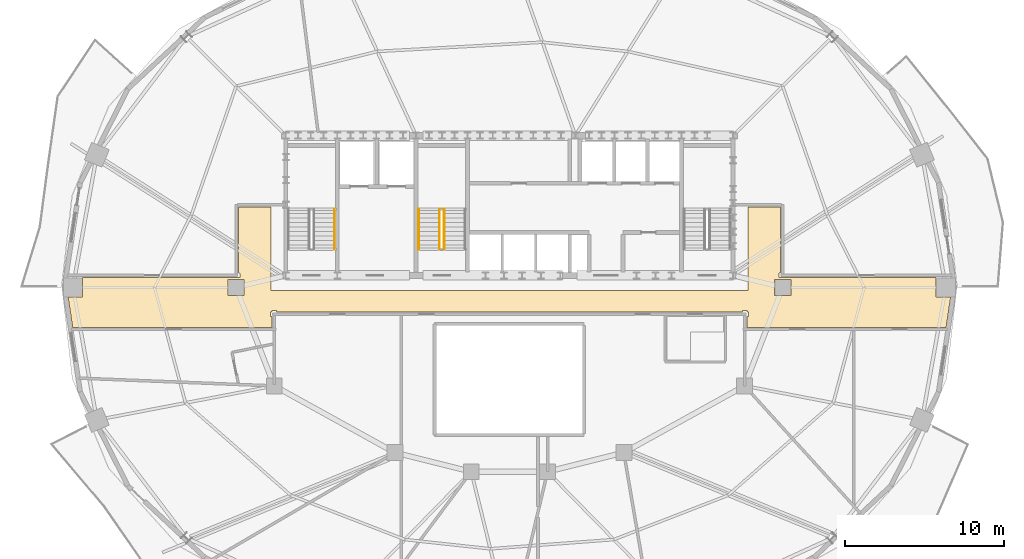
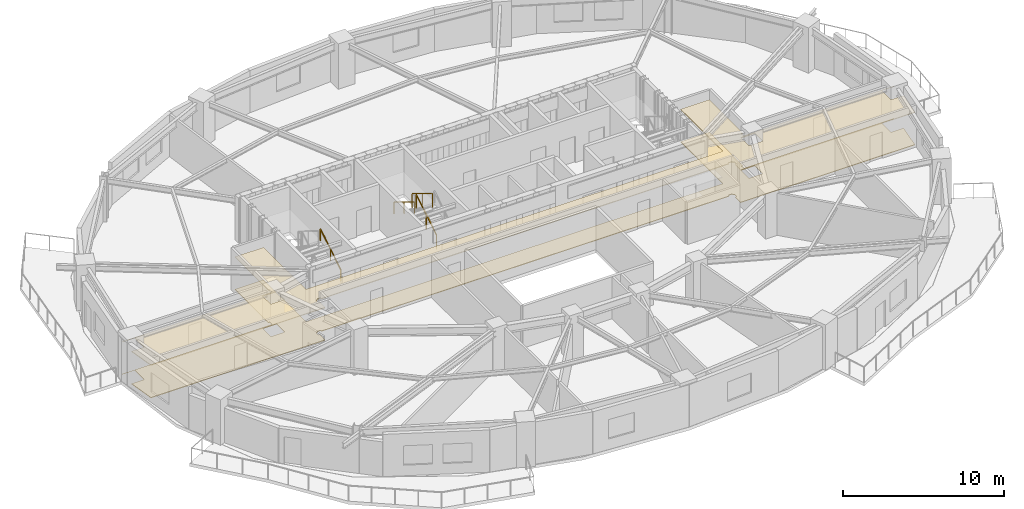
# One storey, part 9 of 11: 4 railings, 2 coverings.
"""IFC4 building model written with IfcOpenShell, lengths in metres."""

import ifcopenshell
import ifcopenshell.guid

model = None  # the IFC model being written
_history = None  # IfcOwnerHistory: only IFC2X3 demands one
_inside = {}  # id of a spatial element -> (the spatial element, [elements in it])
_under = {}  # id of a project, library or spatial element -> (it, [spatial elements below it])
_declared = {}  # id of a project -> (the project, [libraries it declares])
_typed = {}  # id of a type object -> (the type object, [elements of that type])
_made_of = {}  # id of a material, layer set ... -> (it, [elements and type objects made of it])


def new_model(schema):
    """Start an empty IFC model of exactly this schema.

    Asked for "IFC4X3", IfcOpenShell would pick the latest addendum, in which some entities
    have other attributes; the version numbers below select the first issue.
    IFC2X3 requires an IfcOwnerHistory on every rooted entity: one is made here for all.
    """
    global model, _history
    if schema == "IFC4X3":
        model = ifcopenshell.file(schema_version=(4, 3, 0, 0))
    else:
        model = ifcopenshell.file(schema=schema)
    _inside.clear()
    _under.clear()
    _declared.clear()
    _typed.clear()
    _made_of.clear()
    _history = None
    if model.schema == "IFC2X3":
        org = make("IfcOrganization", Name="unknown")
        user = make(
            "IfcPersonAndOrganization",
            ThePerson=make("IfcPerson", FamilyName="unknown"),
            TheOrganization=org,
        )
        app = make(
            "IfcApplication",
            ApplicationDeveloper=org,
            Version="unknown",
            ApplicationFullName="unknown",
            ApplicationIdentifier="unknown",
        )
        _history = make(
            "IfcOwnerHistory",
            OwningUser=user,
            OwningApplication=app,
            ChangeAction="ADDED",
            CreationDate=0,
        )
    return model


def make(cls, **values):
    """One entity of the class cls with the attributes given. An attribute that is None is left unset."""
    return model.create_entity(
        cls, **{name: value for name, value in values.items() if value is not None}
    )


def rooted(cls, **values):
    """An entity with a GlobalId (a new one), such as an element, a storey or a relation."""
    return make(cls, GlobalId=ifcopenshell.guid.new(), OwnerHistory=_history, **values)


def si_unit(unit_type, name, prefix=None):
    """IfcSIUnit, for example si_unit("LENGTHUNIT", "METRE", prefix="MILLI")."""
    return make("IfcSIUnit", UnitType=unit_type, Prefix=prefix, Name=name)


def assignment(units):
    """IfcUnitAssignment: the units of a project."""
    return None if units is None else make("IfcUnitAssignment", Units=units)


def point(xyz):
    """IfcCartesianPoint."""
    return None if xyz is None else make("IfcCartesianPoint", Coordinates=xyz)


def direction(xyz):
    """IfcDirection."""
    return None if xyz is None else make("IfcDirection", DirectionRatios=xyz)


def frame(location, z_axis=None, x_axis=None):
    """IfcAxis2Placement3D, a coordinate frame: its origin and axes. An axis left out is left unset."""
    return make(
        "IfcAxis2Placement3D",
        Location=point(location),
        Axis=direction(z_axis),
        RefDirection=direction(x_axis),
    )


def frame_2d(location, x_axis=None):
    """IfcAxis2Placement2D, a coordinate frame in the plane: its origin and x axis."""
    return make(
        "IfcAxis2Placement2D", Location=point(location), RefDirection=direction(x_axis)
    )


def origin():
    """The frame at (0, 0, 0) with its axes left unset."""
    return frame((0.0, 0.0, 0.0))


def origin_2d():
    """The frame at (0, 0) in the plane with its x axis left unset."""
    return frame_2d((0.0, 0.0))


def place(relative_to, where):
    """IfcLocalPlacement: puts the frame where relative to a parent placement (None: the world)."""
    return make(
        "IfcLocalPlacement", PlacementRelTo=relative_to, RelativePlacement=where
    )


def context(
    kind, dimensions, precision=None, world=None, true_north=None, identifier=None
):
    """IfcGeometricRepresentationContext, for example the 3D "Model" context."""
    return make(
        "IfcGeometricRepresentationContext",
        ContextIdentifier=identifier,
        ContextType=kind,
        CoordinateSpaceDimension=dimensions,
        Precision=precision,
        WorldCoordinateSystem=world,
        TrueNorth=true_north,
    )


def subcontext(parent, identifier, kind, view, scale=None):
    """IfcGeometricRepresentationSubContext, for example "Body" below "Model"."""
    return make(
        "IfcGeometricRepresentationSubContext",
        ContextIdentifier=identifier,
        ContextType=kind,
        ParentContext=parent,
        TargetScale=scale,
        TargetView=view,
    )


def project(units=None, contexts=None):
    """IfcProject with its units and contexts."""
    return rooted(
        "IfcProject",
        Name="project",
        RepresentationContexts=contexts,
        UnitsInContext=assignment(units),
    )


def spatial(cls, under=None, at=None, **own):
    """A site, building, storey or space (cls), placed at a placement, below another one or the project."""
    s = rooted(cls, ObjectPlacement=at, **own)
    if under is not None:
        _under.setdefault(under.id(), (under, []))[1].append(s)
    return s


def polyline(points):
    """IfcPolyline through the points."""
    return make("IfcPolyline", Points=[point(p) for p in points])


def profile(cls, at=None, kind="AREA", **sizes):
    """A parametric profile (cls). Its sizes go by their IFC names, for example OverallWidth=200.0."""
    return make(cls, ProfileType=kind, Position=at, **sizes)


def rectangle(**sizes):
    """IfcRectangleProfileDef."""
    return profile("IfcRectangleProfileDef", **sizes)


def outline(outer, holes=None, kind="AREA"):
    """IfcArbitraryClosedProfileDef: a profile drawn as a closed curve; with holes, ...WithVoids."""
    if holes is None:
        return make("IfcArbitraryClosedProfileDef", ProfileType=kind, OuterCurve=outer)
    return make(
        "IfcArbitraryProfileDefWithVoids",
        ProfileType=kind,
        OuterCurve=outer,
        InnerCurves=holes,
    )


def extrude(swept, where, along, depth):
    """IfcExtrudedAreaSolid: the profile swept, set in the frame where, extruded along a direction by depth."""
    return make(
        "IfcExtrudedAreaSolid",
        SweptArea=swept,
        Position=where,
        ExtrudedDirection=direction(along),
        Depth=depth,
    )


def shape(context_of_items, identifier, shape_type, items):
    """IfcShapeRepresentation: the items that make up one representation, for example the "Body"."""
    return make(
        "IfcShapeRepresentation",
        ContextOfItems=context_of_items,
        RepresentationIdentifier=identifier,
        RepresentationType=shape_type,
        Items=items,
    )


def material(Name=None, Category=None):
    """IfcMaterial."""
    return make("IfcMaterial", Name=Name, Category=Category)


def layer(
    of_material, thickness, ventilated=None, Name=None, Category=None, Priority=None
):
    """IfcMaterialLayer: one layer of a wall or slab, of a material (None: an air gap)."""
    return make(
        "IfcMaterialLayer",
        Material=of_material,
        LayerThickness=thickness,
        IsVentilated=ventilated,
        Name=Name,
        Category=Category,
        Priority=Priority,
    )


def layer_set(layers, Name=None):
    """IfcMaterialLayerSet."""
    return make("IfcMaterialLayerSet", MaterialLayers=layers, LayerSetName=Name)


def made_of(thing, what):
    """Note that an element or type object is made of a material, layer set ...; save() writes the relation."""
    if what is not None:
        _made_of.setdefault(what.id(), (what, []))[1].append(thing)
    return thing


def type_object(cls, material=None, **own):
    """A type object (cls), such as IfcWallType, which elements share."""
    return made_of(rooted(cls, **own), material)


def element(
    cls,
    number,
    at=None,
    inside=None,
    cuts=None,
    type_object=None,
    material=None,
    context=None,
    identifier="Body",
    shape_type=None,
    held_by="IfcProductDefinitionShape",
    body=None,
    shapes=None,
    **own,
):
    """One element of the class cls, such as IfcWall. Its Tag is "e" and its number.

    at: its placement. inside: the storey or other place that contains it. cuts: it is an
    opening in that element (IfcRelVoidsElement). A single representation is given by context,
    identifier, shape_type and body (its items); several are given by shapes. held_by: the class
    of the entity that holds the representations. save() writes the other relations.
    """
    e = rooted(cls, Tag="e%d" % number, ObjectPlacement=at, **own)
    if body is not None:
        shapes = [shape(context, identifier, shape_type, body)]
    if shapes is not None:
        e.Representation = make(held_by, Representations=shapes)
    if inside is not None:
        _inside.setdefault(inside.id(), (inside, []))[1].append(e)
    if cuts is not None:
        rooted(
            "IfcRelVoidsElement", RelatingBuildingElement=cuts, RelatedOpeningElement=e
        )
    if type_object is not None:
        _typed.setdefault(type_object.id(), (type_object, []))[1].append(e)
    return made_of(e, material)


def aggregate(whole, parts):
    """IfcRelAggregates: a whole, such as a stair, and the parts it consists of."""
    return rooted("IfcRelAggregates", RelatingObject=whole, RelatedObjects=parts)


def save(model, path):
    """Write the relations noted so far, then the file.

    IfcRelAggregates (storeys below a building ...), IfcRelContainedInSpatialStructure (elements
    in a storey), IfcRelDefinesByType, IfcRelAssociatesMaterial and IfcRelDeclares: one each for
    every whole, place, type object, material and project.
    """
    for whole, parts in _under.values():
        aggregate(whole, parts)
    for where, things in _inside.values():
        rooted(
            "IfcRelContainedInSpatialStructure",
            RelatedElements=things,
            RelatingStructure=where,
        )
    for kind, things in _typed.values():
        rooted("IfcRelDefinesByType", RelatedObjects=things, RelatingType=kind)
    for what, things in _made_of.values():
        rooted("IfcRelAssociatesMaterial", RelatedObjects=things, RelatingMaterial=what)
    for by, libraries in _declared.values():
        rooted("IfcRelDeclares", RelatingContext=by, RelatedDefinitions=libraries)
    model.write(path)


model = new_model("IFC4")

# Units and contexts
model_context = context("Model", 3, precision=1e-05, world=origin(), true_north=direction((0.0, 1.0)))
body_context = subcontext(model_context, "Body", "Model", "MODEL_VIEW")
ifc_project = project(units=[si_unit("LENGTHUNIT", "METRE"), si_unit("AREAUNIT", "SQUARE_METRE"), si_unit("VOLUMEUNIT", "CUBIC_METRE"), si_unit("PLANEANGLEUNIT", "RADIAN"), si_unit("MASSUNIT", "GRAM", prefix="KILO")], contexts=[model_context])

# Site, building, storey
site_placement = place(None, origin())
site = spatial("IfcSite", under=ifc_project, at=site_placement, CompositionType="ELEMENT")
building_placement = place(site_placement, origin())
building = spatial("IfcBuilding", under=site, at=building_placement, Name="Haldorwick Loom Tower", CompositionType="ELEMENT")
storey_placement = place(building_placement, frame((0.0, 0.0, 204.85009765625)))
storey = spatial("IfcBuildingStorey", under=building, at=storey_placement, Name="L55", CompositionType="ELEMENT", Elevation=204.85009765625)

# Coverings
ifc_material_1 = material(Name="Mineral Fibre Acoustic Ceiling Tile")
ifc_layer_1 = layer(ifc_material_1, 0.054931640625, Name="Mineral Fibre Acoustic Ceiling Tile")
ifc_layer_set_1 = layer_set([ifc_layer_1], Name="Mineral Fibre Acoustic Ceiling Tile")
covering_type_1 = type_object("IfcCoveringType", Name="ARC-COV-CEIL2", PredefinedType="CEILING", material=ifc_layer_set_1)
covering_1_placement = place(storey_placement, frame((0.0, 0.0, 2.458984375)))
element("IfcCovering", 1, at=covering_1_placement, inside=storey, type_object=covering_type_1, Name="L55 Acoustic Suspended Ceiling 1", PredefinedType="CEILING", context=body_context, shape_type="SweptSolid", body=[
    extrude(outline(polyline([(8.522216796875, 23.489990234375), (21.06005859375, 23.489990234375), (21.06005859375, 24.159912109375), (20.97998046875, 24.159912109375), (20.97802734375, 24.16015625), (20.97607421875, 24.160400390625), (20.97412109375, 24.160888671875), (20.972412109375, 24.16162109375), (20.970703125, 24.162353515625), (20.968994140625, 24.163330078125), (20.96728515625, 24.16455078125), (20.9658203125, 24.166015625), (20.964599609375, 24.167236328125), (20.96337890625, 24.1689453125), (20.96240234375, 24.170654296875), (20.96142578125, 24.17236328125), (20.9609375, 24.17431640625), (20.96044921875, 24.176025390625), (20.960205078125, 24.177978515625), (20.9599609375, 24.179931640625), (20.9599609375, 24.419921875), (20.960205078125, 24.422119140625), (20.96044921875, 24.423828125), (20.9609375, 24.42578125), (20.96142578125, 24.427734375), (20.96240234375, 24.429443359375), (20.96337890625, 24.43115234375), (20.964599609375, 24.4326171875), (20.9658203125, 24.43408203125), (20.96728515625, 24.435546875), (20.968994140625, 24.4365234375), (20.970703125, 24.4375), (20.972412109375, 24.4384765625), (20.97412109375, 24.439208984375), (20.97607421875, 24.439697265625), (20.97802734375, 24.43994140625), (20.97998046875, 24.43994140625), (21.06005859375, 24.43994140625), (21.06005859375, 24.52001953125), (21.06005859375, 24.52197265625), (21.060302734375, 24.52392578125), (21.060791015625, 24.52587890625), (21.0615234375, 24.527587890625), (21.0625, 24.529296875), (21.0634765625, 24.531005859375), (21.064453125, 24.53271484375), (21.06591796875, 24.5341796875), (21.0673828125, 24.535400390625), (21.06884765625, 24.53662109375), (21.070556640625, 24.53759765625), (21.072265625, 24.53857421875), (21.07421875, 24.5390625), (21.076171875, 24.53955078125), (21.077880859375, 24.539794921875), (21.080078125, 24.5400390625), (21.320068359375, 24.5400390625), (21.322021484375, 24.539794921875), (21.323974609375, 24.53955078125), (21.32568359375, 24.5390625), (21.32763671875, 24.53857421875), (21.329345703125, 24.53759765625), (21.3310546875, 24.53662109375), (21.332763671875, 24.535400390625), (21.333984375, 24.5341796875), (21.33544921875, 24.53271484375), (21.336669921875, 24.531005859375), (21.337646484375, 24.529296875), (21.33837890625, 24.527587890625), (21.339111328125, 24.52587890625), (21.339599609375, 24.52392578125), (21.33984375, 24.52197265625), (21.340087890625, 24.52001953125), (21.340087890625, 24.43994140625), (50.659912109375, 24.43994140625), (50.659912109375, 24.52001953125), (50.66015625, 24.52197265625), (50.660400390625, 24.52392578125), (50.660888671875, 24.52587890625), (50.66162109375, 24.527587890625), (50.662353515625, 24.529296875), (50.663330078125, 24.531005859375), (50.66455078125, 24.53271484375), (50.666015625, 24.5341796875), (50.667236328125, 24.535400390625), (50.6689453125, 24.53662109375), (50.670654296875, 24.53759765625), (50.67236328125, 24.53857421875), (50.67431640625, 24.5390625), (50.676025390625, 24.53955078125), (50.677978515625, 24.539794921875), (50.679931640625, 24.5400390625), (50.919921875, 24.5400390625), (50.922119140625, 24.539794921875), (50.923828125, 24.53955078125), (50.92578125, 24.5390625), (50.927734375, 24.53857421875), (50.929443359375, 24.53759765625), (50.93115234375, 24.53662109375), (50.9326171875, 24.535400390625), (50.93408203125, 24.5341796875), (50.935546875, 24.53271484375), (50.9365234375, 24.531005859375), (50.9375, 24.529296875), (50.9384765625, 24.527587890625), (50.939208984375, 24.52587890625), (50.939697265625, 24.52392578125), (50.93994140625, 24.52197265625), (50.93994140625, 24.52001953125), (50.93994140625, 24.43994140625), (51.02001953125, 24.43994140625), (51.02197265625, 24.43994140625), (51.02392578125, 24.439697265625), (51.02587890625, 24.439208984375), (51.027587890625, 24.4384765625), (51.029296875, 24.4375), (51.031005859375, 24.4365234375), (51.03271484375, 24.435546875), (51.0341796875, 24.43408203125), (51.035400390625, 24.4326171875), (51.03662109375, 24.43115234375), (51.03759765625, 24.429443359375), (51.03857421875, 24.427734375), (51.0390625, 24.42578125), (51.03955078125, 24.423828125), (51.039794921875, 24.422119140625), (51.0400390625, 24.419921875), (51.0400390625, 24.179931640625), (51.039794921875, 24.177978515625), (51.03955078125, 24.176025390625), (51.0390625, 24.17431640625), (51.03857421875, 24.17236328125), (51.03759765625, 24.170654296875), (51.03662109375, 24.1689453125), (51.035400390625, 24.167236328125), (51.0341796875, 24.166015625), (51.03271484375, 24.16455078125), (51.031005859375, 24.163330078125), (51.029296875, 24.162353515625), (51.027587890625, 24.16162109375), (51.02587890625, 24.160888671875), (51.02392578125, 24.160400390625), (51.02197265625, 24.16015625), (51.02001953125, 24.159912109375), (50.93994140625, 24.159912109375), (50.93994140625, 23.489990234375), (63.477783203125, 23.489990234375), (63.76708984375, 25.39208984375), (62.8583984375, 25.39208984375), (62.8583984375, 26.60791015625), (63.76708984375, 26.60791015625), (63.766845703125, 26.610107421875), (52.97998046875, 26.610107421875), (52.97802734375, 26.610107421875), (52.97607421875, 26.6103515625), (52.97412109375, 26.61083984375), (52.972412109375, 26.611572265625), (52.970703125, 26.6123046875), (52.968994140625, 26.61328125), (52.96728515625, 26.614501953125), (52.9658203125, 26.615966796875), (52.964599609375, 26.6171875), (52.96337890625, 26.618896484375), (52.96240234375, 26.62060546875), (52.96142578125, 26.622314453125), (52.9609375, 26.624267578125), (52.96044921875, 26.626220703125), (52.960205078125, 26.6279296875), (52.9599609375, 26.6298828125), (52.9599609375, 26.8701171875), (52.960205078125, 26.8720703125), (52.96044921875, 26.873779296875), (52.9609375, 26.875732421875), (52.96142578125, 26.877685546875), (52.96240234375, 26.87939453125), (52.96337890625, 26.881103515625), (52.964599609375, 26.8828125), (52.9658203125, 26.884033203125), (52.96728515625, 26.885498046875), (52.968994140625, 26.88671875), (52.970703125, 26.8876953125), (52.972412109375, 26.888427734375), (52.97412109375, 26.88916015625), (52.97607421875, 26.8896484375), (52.97802734375, 26.889892578125), (52.97998046875, 26.889892578125), (53.06005859375, 26.889892578125), (53.06005859375, 31.06005859375), (51.0, 31.06005859375), (51.0, 25.800048828125), (21.0, 25.800048828125), (21.0, 31.06005859375), (18.93994140625, 31.06005859375), (18.93994140625, 26.889892578125), (19.02001953125, 26.889892578125), (19.02197265625, 26.889892578125), (19.02392578125, 26.8896484375), (19.02587890625, 26.88916015625), (19.027587890625, 26.888427734375), (19.029296875, 26.8876953125), (19.031005859375, 26.88671875), (19.03271484375, 26.885498046875), (19.0341796875, 26.884033203125), (19.035400390625, 26.8828125), (19.03662109375, 26.881103515625), (19.03759765625, 26.87939453125), (19.03857421875, 26.877685546875), (19.0390625, 26.875732421875), (19.03955078125, 26.873779296875), (19.039794921875, 26.8720703125), (19.0400390625, 26.8701171875), (19.0400390625, 26.6298828125), (19.039794921875, 26.6279296875), (19.03955078125, 26.626220703125), (19.0390625, 26.624267578125), (19.03857421875, 26.622314453125), (19.03759765625, 26.62060546875), (19.03662109375, 26.618896484375), (19.035400390625, 26.6171875), (19.0341796875, 26.615966796875), (19.03271484375, 26.614501953125), (19.031005859375, 26.61328125), (19.029296875, 26.6123046875), (19.027587890625, 26.611572265625), (19.02587890625, 26.61083984375), (19.02392578125, 26.6103515625), (19.02197265625, 26.610107421875), (19.02001953125, 26.610107421875), (8.233154296875, 26.610107421875), (8.23291015625, 26.60791015625), (9.1416015625, 26.60791015625), (9.1416015625, 25.39208984375), (8.23291015625, 25.39208984375), (8.522216796875, 23.489990234375)]), holes=[polyline([(19.30810546875, 26.508056640625), (19.30810546875, 25.491943359375), (18.2919921875, 25.491943359375), (18.2919921875, 26.508056640625), (19.30810546875, 26.508056640625)]), polyline([(53.7080078125, 26.508056640625), (53.7080078125, 25.491943359375), (52.69189453125, 25.491943359375), (52.69189453125, 26.508056640625), (53.7080078125, 26.508056640625)])]), origin(), (0.0, 0.0, 1.0), 0.054931640625),
])
ifc_material_2 = material(Name="Polished Aggregate Terrazzo Finish")
ifc_layer_2 = layer(ifc_material_2, 0.044921875, Name="Polished Aggregate Terrazzo Finish")
ifc_layer_set_2 = layer_set([ifc_layer_2], Name="Polished Aggregate Terrazzo Finish")
covering_type_2 = type_object("IfcCoveringType", Name="ARC-COV-FLOOR2", PredefinedType="FLOORING", material=ifc_layer_set_2)
covering_2_placement = place(storey_placement, origin())
element("IfcCovering", 2, at=covering_2_placement, inside=storey, type_object=covering_type_2, Name="L55 Floor Finish 1", PredefinedType="FLOORING", context=body_context, shape_type="SweptSolid", body=[
    extrude(outline(polyline([(8.522216796875, 23.489990234375), (21.06005859375, 23.489990234375), (21.06005859375, 24.159912109375), (20.97998046875, 24.159912109375), (20.97802734375, 24.16015625), (20.97607421875, 24.160400390625), (20.97412109375, 24.160888671875), (20.972412109375, 24.16162109375), (20.970703125, 24.162353515625), (20.968994140625, 24.163330078125), (20.96728515625, 24.16455078125), (20.9658203125, 24.166015625), (20.964599609375, 24.167236328125), (20.96337890625, 24.1689453125), (20.96240234375, 24.170654296875), (20.96142578125, 24.17236328125), (20.9609375, 24.17431640625), (20.96044921875, 24.176025390625), (20.960205078125, 24.177978515625), (20.9599609375, 24.179931640625), (20.9599609375, 24.419921875), (20.960205078125, 24.422119140625), (20.96044921875, 24.423828125), (20.9609375, 24.42578125), (20.96142578125, 24.427734375), (20.96240234375, 24.429443359375), (20.96337890625, 24.43115234375), (20.964599609375, 24.4326171875), (20.9658203125, 24.43408203125), (20.96728515625, 24.435546875), (20.968994140625, 24.4365234375), (20.970703125, 24.4375), (20.972412109375, 24.4384765625), (20.97412109375, 24.439208984375), (20.97607421875, 24.439697265625), (20.97802734375, 24.43994140625), (20.97998046875, 24.43994140625), (21.06005859375, 24.43994140625), (21.06005859375, 24.52001953125), (21.06005859375, 24.52197265625), (21.060302734375, 24.52392578125), (21.060791015625, 24.52587890625), (21.0615234375, 24.527587890625), (21.0625, 24.529296875), (21.0634765625, 24.531005859375), (21.064453125, 24.53271484375), (21.06591796875, 24.5341796875), (21.0673828125, 24.535400390625), (21.06884765625, 24.53662109375), (21.070556640625, 24.53759765625), (21.072265625, 24.53857421875), (21.07421875, 24.5390625), (21.076171875, 24.53955078125), (21.077880859375, 24.539794921875), (21.080078125, 24.5400390625), (21.320068359375, 24.5400390625), (21.322021484375, 24.539794921875), (21.323974609375, 24.53955078125), (21.32568359375, 24.5390625), (21.32763671875, 24.53857421875), (21.329345703125, 24.53759765625), (21.3310546875, 24.53662109375), (21.332763671875, 24.535400390625), (21.333984375, 24.5341796875), (21.33544921875, 24.53271484375), (21.336669921875, 24.531005859375), (21.337646484375, 24.529296875), (21.33837890625, 24.527587890625), (21.339111328125, 24.52587890625), (21.339599609375, 24.52392578125), (21.33984375, 24.52197265625), (21.340087890625, 24.52001953125), (21.340087890625, 24.43994140625), (50.659912109375, 24.43994140625), (50.659912109375, 24.52001953125), (50.66015625, 24.52197265625), (50.660400390625, 24.52392578125), (50.660888671875, 24.52587890625), (50.66162109375, 24.527587890625), (50.662353515625, 24.529296875), (50.663330078125, 24.531005859375), (50.66455078125, 24.53271484375), (50.666015625, 24.5341796875), (50.667236328125, 24.535400390625), (50.6689453125, 24.53662109375), (50.670654296875, 24.53759765625), (50.67236328125, 24.53857421875), (50.67431640625, 24.5390625), (50.676025390625, 24.53955078125), (50.677978515625, 24.539794921875), (50.679931640625, 24.5400390625), (50.919921875, 24.5400390625), (50.922119140625, 24.539794921875), (50.923828125, 24.53955078125), (50.92578125, 24.5390625), (50.927734375, 24.53857421875), (50.929443359375, 24.53759765625), (50.93115234375, 24.53662109375), (50.9326171875, 24.535400390625), (50.93408203125, 24.5341796875), (50.935546875, 24.53271484375), (50.9365234375, 24.531005859375), (50.9375, 24.529296875), (50.9384765625, 24.527587890625), (50.939208984375, 24.52587890625), (50.939697265625, 24.52392578125), (50.93994140625, 24.52197265625), (50.93994140625, 24.52001953125), (50.93994140625, 24.43994140625), (51.02001953125, 24.43994140625), (51.02197265625, 24.43994140625), (51.02392578125, 24.439697265625), (51.02587890625, 24.439208984375), (51.027587890625, 24.4384765625), (51.029296875, 24.4375), (51.031005859375, 24.4365234375), (51.03271484375, 24.435546875), (51.0341796875, 24.43408203125), (51.035400390625, 24.4326171875), (51.03662109375, 24.43115234375), (51.03759765625, 24.429443359375), (51.03857421875, 24.427734375), (51.0390625, 24.42578125), (51.03955078125, 24.423828125), (51.039794921875, 24.422119140625), (51.0400390625, 24.419921875), (51.0400390625, 24.179931640625), (51.039794921875, 24.177978515625), (51.03955078125, 24.176025390625), (51.0390625, 24.17431640625), (51.03857421875, 24.17236328125), (51.03759765625, 24.170654296875), (51.03662109375, 24.1689453125), (51.035400390625, 24.167236328125), (51.0341796875, 24.166015625), (51.03271484375, 24.16455078125), (51.031005859375, 24.163330078125), (51.029296875, 24.162353515625), (51.027587890625, 24.16162109375), (51.02587890625, 24.160888671875), (51.02392578125, 24.160400390625), (51.02197265625, 24.16015625), (51.02001953125, 24.159912109375), (50.93994140625, 24.159912109375), (50.93994140625, 23.489990234375), (63.477783203125, 23.489990234375), (63.76708984375, 25.39208984375), (62.8583984375, 25.39208984375), (62.8583984375, 26.60791015625), (63.76708984375, 26.60791015625), (63.766845703125, 26.610107421875), (52.97998046875, 26.610107421875), (52.97802734375, 26.610107421875), (52.97607421875, 26.6103515625), (52.97412109375, 26.61083984375), (52.972412109375, 26.611572265625), (52.970703125, 26.6123046875), (52.968994140625, 26.61328125), (52.96728515625, 26.614501953125), (52.9658203125, 26.615966796875), (52.964599609375, 26.6171875), (52.96337890625, 26.618896484375), (52.96240234375, 26.62060546875), (52.96142578125, 26.622314453125), (52.9609375, 26.624267578125), (52.96044921875, 26.626220703125), (52.960205078125, 26.6279296875), (52.9599609375, 26.6298828125), (52.9599609375, 26.8701171875), (52.960205078125, 26.8720703125), (52.96044921875, 26.873779296875), (52.9609375, 26.875732421875), (52.96142578125, 26.877685546875), (52.96240234375, 26.87939453125), (52.96337890625, 26.881103515625), (52.964599609375, 26.8828125), (52.9658203125, 26.884033203125), (52.96728515625, 26.885498046875), (52.968994140625, 26.88671875), (52.970703125, 26.8876953125), (52.972412109375, 26.888427734375), (52.97412109375, 26.88916015625), (52.97607421875, 26.8896484375), (52.97802734375, 26.889892578125), (52.97998046875, 26.889892578125), (53.06005859375, 26.889892578125), (53.06005859375, 31.06005859375), (51.0, 31.06005859375), (51.0, 25.800048828125), (21.0, 25.800048828125), (21.0, 31.06005859375), (18.93994140625, 31.06005859375), (18.93994140625, 26.889892578125), (19.02001953125, 26.889892578125), (19.02197265625, 26.889892578125), (19.02392578125, 26.8896484375), (19.02587890625, 26.88916015625), (19.027587890625, 26.888427734375), (19.029296875, 26.8876953125), (19.031005859375, 26.88671875), (19.03271484375, 26.885498046875), (19.0341796875, 26.884033203125), (19.035400390625, 26.8828125), (19.03662109375, 26.881103515625), (19.03759765625, 26.87939453125), (19.03857421875, 26.877685546875), (19.0390625, 26.875732421875), (19.03955078125, 26.873779296875), (19.039794921875, 26.8720703125), (19.0400390625, 26.8701171875), (19.0400390625, 26.6298828125), (19.039794921875, 26.6279296875), (19.03955078125, 26.626220703125), (19.0390625, 26.624267578125), (19.03857421875, 26.622314453125), (19.03759765625, 26.62060546875), (19.03662109375, 26.618896484375), (19.035400390625, 26.6171875), (19.0341796875, 26.615966796875), (19.03271484375, 26.614501953125), (19.031005859375, 26.61328125), (19.029296875, 26.6123046875), (19.027587890625, 26.611572265625), (19.02587890625, 26.61083984375), (19.02392578125, 26.6103515625), (19.02197265625, 26.610107421875), (19.02001953125, 26.610107421875), (8.233154296875, 26.610107421875), (8.23291015625, 26.60791015625), (9.1416015625, 26.60791015625), (9.1416015625, 25.39208984375), (8.23291015625, 25.39208984375), (8.522216796875, 23.489990234375)]), holes=[polyline([(19.30810546875, 26.508056640625), (19.30810546875, 25.491943359375), (18.2919921875, 25.491943359375), (18.2919921875, 26.508056640625), (19.30810546875, 26.508056640625)]), polyline([(53.7080078125, 26.508056640625), (53.7080078125, 25.491943359375), (52.69189453125, 25.491943359375), (52.69189453125, 26.508056640625), (53.7080078125, 26.508056640625)])]), origin(), (0.0, 0.0, 1.0), 0.044921875),
])

# Railings
ifc_material_3 = material(Name="Steel CSA G40.21 350W", Category="steel")
railing_type_1 = type_object("IfcRailingType", Name="ARC-RLG-GUARD112", PredefinedType="GUARDRAIL", material=ifc_material_3)
railing_1_placement = place(storey_placement, frame((31.89990234375, 28.39990234375, 0.17236328125)))
element("IfcRailing", 3, at=railing_1_placement, inside=storey, type_object=railing_type_1, Name="L55 ST-03 stair guard 1", PredefinedType="GUARDRAIL", context=body_context, shape_type="SweptSolid", body=[
    extrude(rectangle(XDim=0.048095703125, YDim=0.048095703125, at=origin_2d()), frame((0.0, 0.0, 1.076171875), z_axis=(0.0, 0.851400495292, 0.524516154772), x_axis=(-1.0, 0.0, 0.0)), (0.0, 0.0, 1.0), 2.9599609375),
    extrude(rectangle(XDim=0.0419921875, YDim=0.0419921875, at=origin_2d()), origin(), (0.0, 0.0, 1.0), 1.052001953125),
    extrude(rectangle(XDim=0.0419921875, YDim=0.0419921875, at=origin_2d()), frame((0.0, 1.260009765625, 0.7763671875)), (0.0, 0.0, 1.0), 1.052001953125),
    extrude(rectangle(XDim=0.0419921875, YDim=0.0419921875, at=origin_2d()), frame((0.0, 2.52001953125, 1.552490234375)), (0.0, 0.0, 1.0), 1.052001953125),
])
railing_2_placement = place(storey_placement, frame((31.60009765625, 30.919921875, 1.8974609375)))
element("IfcRailing", 4, at=railing_2_placement, inside=storey, type_object=railing_type_1, Name="L55 ST-03 stair guard 3", PredefinedType="GUARDRAIL", context=body_context, shape_type="SweptSolid", body=[
    extrude(rectangle(XDim=0.048095703125, YDim=0.048095703125, at=origin_2d()), frame((0.0, 0.0, 1.076171875), z_axis=(0.0, -0.851400495292, 0.524516154772), x_axis=(1.0, 0.0, 0.0)), (0.0, 0.0, 1.0), 2.9599609375),
    extrude(rectangle(XDim=0.0419921875, YDim=0.0419921875, at=origin_2d()), origin(), (0.0, 0.0, 1.0), 1.052001953125),
    extrude(rectangle(XDim=0.0419921875, YDim=0.0419921875, at=origin_2d()), frame((0.0, -1.260009765625, 0.7763671875)), (0.0, 0.0, 1.0), 1.052001953125),
    extrude(rectangle(XDim=0.0419921875, YDim=0.0419921875, at=origin_2d()), frame((0.0, -2.52001953125, 1.552490234375)), (0.0, 0.0, 1.0), 1.052001953125),
])
railing_type_2 = type_object("IfcRailingType", Name="ARC-RLG-HAND092", PredefinedType="HANDRAIL", material=ifc_material_3)
railing_3_placement = place(storey_placement, frame((25.0, 28.39990234375, 0.17236328125)))
element("IfcRailing", 5, at=railing_3_placement, inside=storey, type_object=railing_type_2, Name="L55 ST-01 stair handrail 1", PredefinedType="HANDRAIL", context=body_context, shape_type="SweptSolid", body=[
    extrude(rectangle(XDim=0.048095703125, YDim=0.048095703125, at=origin_2d()), frame((0.0, 0.0, 0.8759765625), z_axis=(0.0, 0.851400495292, 0.524516154772), x_axis=(-1.0, 0.0, 0.0)), (0.0, 0.0, 1.0), 2.9599609375),
    extrude(rectangle(XDim=0.0419921875, YDim=0.0419921875, at=origin_2d()), origin(), (0.0, 0.0, 1.0), 0.851806640625),
    extrude(rectangle(XDim=0.0419921875, YDim=0.0419921875, at=origin_2d()), frame((0.0, 1.260009765625, 0.7763671875)), (0.0, 0.0, 1.0), 0.851806640625),
    extrude(rectangle(XDim=0.0419921875, YDim=0.0419921875, at=origin_2d()), frame((0.0, 2.52001953125, 1.552490234375)), (0.0, 0.0, 1.0), 0.851806640625),
])
railing_4_placement = place(storey_placement, frame((30.300048828125, 30.919921875, 1.8974609375)))
element("IfcRailing", 6, at=railing_4_placement, inside=storey, type_object=railing_type_2, Name="L55 ST-03 stair handrail 2", PredefinedType="HANDRAIL", context=body_context, shape_type="SweptSolid", body=[
    extrude(rectangle(XDim=0.048095703125, YDim=0.048095703125, at=origin_2d()), frame((0.0, 0.0, 0.8759765625), z_axis=(0.0, -0.851400495292, 0.524516154772), x_axis=(1.0, 0.0, 0.0)), (0.0, 0.0, 1.0), 2.9599609375),
    extrude(rectangle(XDim=0.0419921875, YDim=0.0419921875, at=origin_2d()), origin(), (0.0, 0.0, 1.0), 0.851806640625),
    extrude(rectangle(XDim=0.0419921875, YDim=0.0419921875, at=origin_2d()), frame((0.0, -1.260009765625, 0.7763671875)), (0.0, 0.0, 1.0), 0.851806640625),
    extrude(rectangle(XDim=0.0419921875, YDim=0.0419921875, at=origin_2d()), frame((0.0, -2.52001953125, 1.552490234375)), (0.0, 0.0, 1.0), 0.851806640625),
])

save(model, "model.ifc")
